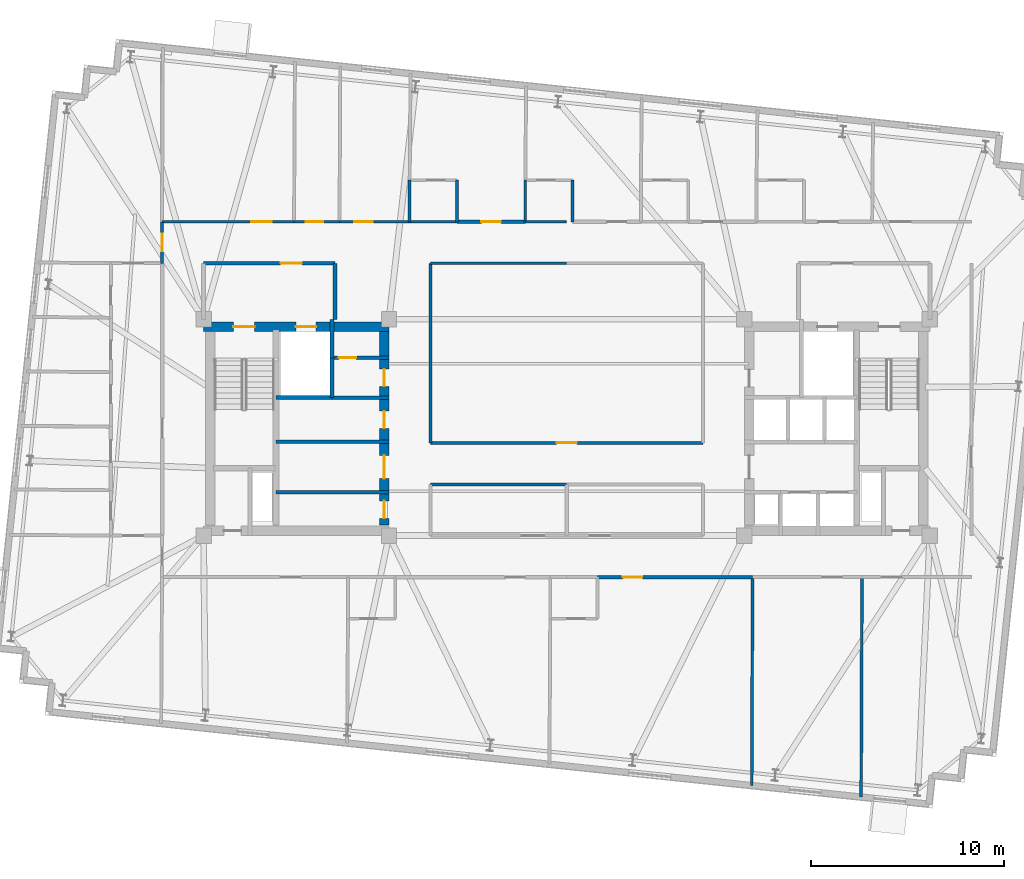
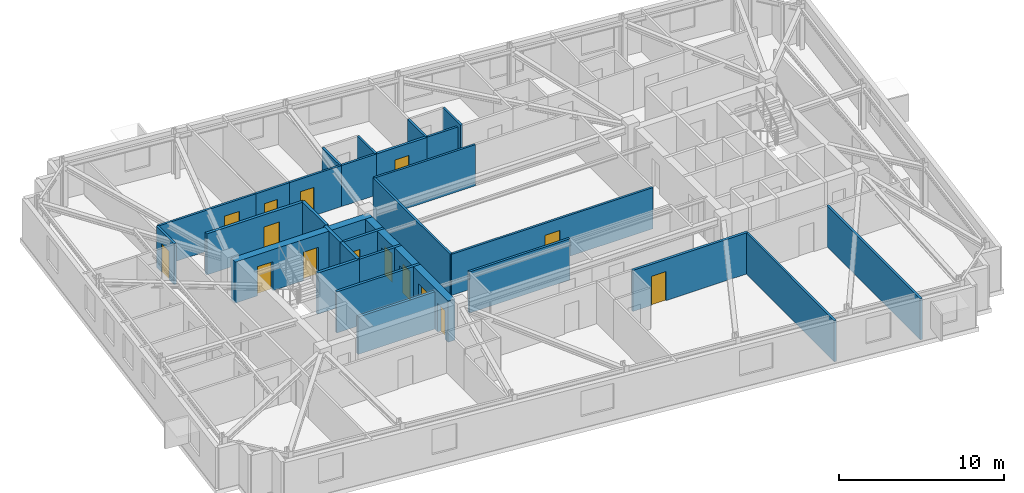
# One storey, part 7 of 13: 29 walls, 15 doors, 15 openings.
"""IFC4 building model written with IfcOpenShell, lengths in metres."""

from ifc_helpers import new_model, si_unit, direction, frame, frame_2d, origin, place, context, subcontext, project, spatial, rectangle, extrude, material, layer, layer_set, type_object, element, fill, save


model = new_model("IFC4")

# Units and contexts
model_context = context("Model", 3, precision=1e-05, world=origin(), true_north=direction((0.0, 1.0)))
body_context = subcontext(model_context, "Body", "Model", "MODEL_VIEW")
ifc_project = project(units=[si_unit("LENGTHUNIT", "METRE"), si_unit("AREAUNIT", "SQUARE_METRE"), si_unit("VOLUMEUNIT", "CUBIC_METRE"), si_unit("PLANEANGLEUNIT", "RADIAN"), si_unit("MASSUNIT", "GRAM", prefix="KILO")], contexts=[model_context])

# Site, building, storey
site_placement = place(None, origin())
site = spatial("IfcSite", under=ifc_project, at=site_placement, CompositionType="ELEMENT")
building_placement = place(site_placement, origin())
building = spatial("IfcBuilding", under=site, at=building_placement, Name="Qobustan Lattice House", CompositionType="ELEMENT")
storey_placement = place(building_placement, frame((0.0, 0.0, 186.35009765625)))
storey = spatial("IfcBuildingStorey", under=building, at=storey_placement, Name="L52", CompositionType="ELEMENT", Elevation=186.35009765625)

# Wall, openings, doors
ifc_material_1 = material(Name="Concrete C50/60", Category="concrete")
ifc_layer_1 = layer(ifc_material_1, 0.5)
ifc_layer_set_1 = layer_set([ifc_layer_1], Name="Concrete C50/60")
wall_type_1 = type_object("IfcWallType", Name="WAL-CORE-500", PredefinedType="SHEAR", material=ifc_layer_set_1)
wall_1_placement = place(storey_placement, frame((-18.800048828125, 5.2099609375, 0.0), z_axis=(0.0, 0.0, 1.0), x_axis=(1.0, 0.0, 0.0)))
wall_1 = element("IfcWall", 1, at=wall_1_placement, inside=storey, type_object=wall_type_1, Name="L52 split-core shear wall CW-N", PredefinedType="SHEAR", context=body_context, shape_type="SweptSolid", body=[
    extrude(rectangle(XDim=9.60009765625, YDim=0.5, at=frame_2d((4.800048828125, 0.0))), origin(), (0.0, 0.0, 1.0), 3.039794921875),
])
opening_1_placement = place(wall_1_placement, frame((1.550048828125, 0.0, 0.0)))
opening_1 = element("IfcOpeningElement", 2, at=opening_1_placement, cuts=wall_1, Name="Opening SD-01", PredefinedType="OPENING", context=body_context, shape_type="SweptSolid", body=[
    extrude(rectangle(XDim=1.10009765625, YDim=2.14990234375, at=frame_2d((0.550048828125, 1.074951171875))), frame((0.0, 0.260009765625, 0.0), z_axis=(0.0, -1.0, 0.0), x_axis=(1.0, 0.0, 0.0)), (0.0, 0.0, 1.0), 0.52001953125),
])
opening_2_placement = place(wall_1_placement, frame((4.77490234375, 0.0, 0.0)))
opening_2 = element("IfcOpeningElement", 3, at=opening_2_placement, cuts=wall_1, Name="Opening LD-01", PredefinedType="OPENING", context=body_context, shape_type="SweptSolid", body=[
    extrude(rectangle(XDim=1.050048828125, YDim=2.10009765625, at=frame_2d((0.52490234375, 1.050048828125))), frame((0.0, 0.260009765625, 0.0), z_axis=(0.0, -1.0, 0.0), x_axis=(1.0, 0.0, 0.0)), (0.0, 0.0, 1.0), 0.52001953125),
])
ifc_material_2 = material(Name="Persian walnut timber and steel frame door", Category="steel")
door_type_1 = type_object("IfcDoorType", Name="DOR-LIFT-LD-1050x2100", OperationType="NOTDEFINED", PredefinedType="DOOR", material=ifc_material_2)
door_1_placement = place(opening_2_placement, origin())
door_1 = element("IfcDoor", 4, at=door_1_placement, inside=storey, type_object=door_type_1, Name="L52 firefighting lift FF-W landing door", OperationType="DOUBLE_DOOR_SLIDING", OverallHeight=2.10009765625, OverallWidth=1.050048828125, PredefinedType="DOOR", context=body_context, shape_type="SweptSolid", body=[
    extrude(rectangle(XDim=1.050048828125, YDim=2.10009765625, at=frame_2d((0.52490234375, 1.050048828125))), frame((0.0, 0.02490234375, 0.0), z_axis=(0.0, -1.0, 0.0), x_axis=(1.0, 0.0, 0.0)), (0.0, 0.0, 1.0), 0.050048828125),
])
fill(opening_2, door_1)
ifc_material_3 = material(Name="Persian walnut timber and steel frame door", Category="steel")
door_type_2 = type_object("IfcDoorType", Name="DOR-STAIR-FD-1100x2150", OperationType="NOTDEFINED", PredefinedType="DOOR", material=ifc_material_3)
door_2_placement = place(opening_1_placement, origin())
door_2 = element("IfcDoor", 5, at=door_2_placement, inside=storey, type_object=door_type_2, Name="L52 exit stair ST-W1 fire door", OperationType="SINGLE_SWING_LEFT", OverallHeight=2.14990234375, OverallWidth=1.10009765625, PredefinedType="DOOR", context=body_context, shape_type="SweptSolid", body=[
    extrude(rectangle(XDim=1.10009765625, YDim=2.14990234375, at=frame_2d((0.550048828125, 1.074951171875))), frame((0.0, 0.02490234375, 0.0), z_axis=(0.0, -1.0, 0.0), x_axis=(1.0, 0.0, 0.0)), (0.0, 0.0, 1.0), 0.050048828125),
])
fill(opening_1, door_2)

wall_2_placement = place(storey_placement, frame((-9.449951171875, -5.050048828125, 0.0), z_axis=(0.0, 0.0, 1.0), x_axis=(0.0, 1.0, 0.0)))
wall_2 = element("IfcWall", 6, at=wall_2_placement, inside=storey, type_object=wall_type_1, Name="L52 split-core shear wall CW-E", PredefinedType="SHEAR", context=body_context, shape_type="SweptSolid", body=[
    extrude(rectangle(XDim=10.10009765625, YDim=0.5, at=frame_2d((5.050048828125, 0.0))), origin(), (0.0, 0.0, 1.0), 3.039794921875),
])
opening_3_placement = place(wall_2_placement, frame((7.175048828125, 0.0, 0.0)))
opening_3 = element("IfcOpeningElement", 7, at=opening_3_placement, cuts=wall_2, Name="Opening RD-01", PredefinedType="OPENING", context=body_context, shape_type="SweptSolid", body=[
    extrude(rectangle(XDim=0.89990234375, YDim=2.10009765625, at=frame_2d((0.449951171875, 1.050048828125))), frame((0.0, 0.260009765625, 0.0), z_axis=(0.0, -1.0, 0.0), x_axis=(1.0, 0.0, 0.0)), (0.0, 0.0, 1.0), 0.52001953125),
])
opening_4_placement = place(wall_2_placement, frame((2.39990234375, 0.0, 0.0)))
opening_4 = element("IfcOpeningElement", 8, at=opening_4_placement, cuts=wall_2, Name="Opening FD-01", PredefinedType="OPENING", context=body_context, shape_type="SweptSolid", body=[
    extrude(rectangle(XDim=1.199951171875, YDim=2.14990234375, at=frame_2d((0.60009765625, 1.074951171875))), frame((0.0, 0.260009765625, 0.0), z_axis=(0.0, -1.0, 0.0), x_axis=(1.0, 0.0, 0.0)), (0.0, 0.0, 1.0), 0.52001953125),
])
opening_5_placement = place(wall_2_placement, frame((0.35009765625, 0.0, 0.0)))
opening_5 = element("IfcOpeningElement", 9, at=opening_5_placement, cuts=wall_2, Name="Opening RD-01", PredefinedType="OPENING", context=body_context, shape_type="SweptSolid", body=[
    extrude(rectangle(XDim=0.89990234375, YDim=2.10009765625, at=frame_2d((0.449951171875, 1.050048828125))), frame((0.0, 0.260009765625, 0.0), z_axis=(0.0, -1.0, 0.0), x_axis=(1.0, 0.0, 0.0)), (0.0, 0.0, 1.0), 0.52001953125),
])
opening_6_placement = place(wall_2_placement, frame((5.0, 0.0, 0.0)))
opening_6 = element("IfcOpeningElement", 10, at=opening_6_placement, cuts=wall_2, Name="Opening RD-01", PredefinedType="OPENING", context=body_context, shape_type="SweptSolid", body=[
    extrude(rectangle(XDim=0.89990234375, YDim=2.10009765625, at=frame_2d((0.449951171875, 1.050048828125))), frame((0.0, 0.260009765625, 0.0), z_axis=(0.0, -1.0, 0.0), x_axis=(1.0, 0.0, 0.0)), (0.0, 0.0, 1.0), 0.52001953125),
])
ifc_material_4 = material(Name="Persian walnut timber and steel frame door", Category="steel")
door_type_3 = type_object("IfcDoorType", Name="DOR-LOBBY-FD-1200x2150", OperationType="NOTDEFINED", PredefinedType="DOOR", material=ifc_material_4)
door_3_placement = place(opening_4_placement, origin())
door_3 = element("IfcDoor", 11, at=door_3_placement, inside=storey, type_object=door_type_3, Name="L52 West core foyer fire door", OperationType="SINGLE_SWING_RIGHT", OverallHeight=2.14990234375, OverallWidth=1.199951171875, PredefinedType="DOOR", context=body_context, shape_type="SweptSolid", body=[
    extrude(rectangle(XDim=1.199951171875, YDim=2.14990234375, at=frame_2d((0.60009765625, 1.074951171875))), frame((0.0, 0.02490234375, 0.0), z_axis=(0.0, -1.0, 0.0), x_axis=(1.0, 0.0, 0.0)), (0.0, 0.0, 1.0), 0.050048828125),
])
fill(opening_4, door_3)
ifc_material_5 = material(Name="Persian walnut timber and steel frame door", Category="steel")
door_type_4 = type_object("IfcDoorType", Name="DOR-RISER-FD-900x2100", OperationType="NOTDEFINED", PredefinedType="DOOR", material=ifc_material_5)
door_4_placement = place(opening_3_placement, origin())
door_4 = element("IfcDoor", 12, at=door_4_placement, inside=storey, type_object=door_type_4, Name="L52 Core utility lobby fire door", OperationType="SINGLE_SWING_LEFT", OverallHeight=2.10009765625, OverallWidth=0.89990234375, PredefinedType="DOOR", context=body_context, shape_type="SweptSolid", body=[
    extrude(rectangle(XDim=0.89990234375, YDim=2.10009765625, at=frame_2d((0.449951171875, 1.050048828125))), frame((0.0, 0.02490234375, 0.0), z_axis=(0.0, -1.0, 0.0), x_axis=(1.0, 0.0, 0.0)), (0.0, 0.0, 1.0), 0.050048828125),
])
fill(opening_3, door_4)
door_5_placement = place(opening_5_placement, origin())
door_5 = element("IfcDoor", 13, at=door_5_placement, inside=storey, type_object=door_type_4, Name="L52 Quiet study alcove fire door", OperationType="SINGLE_SWING_LEFT", OverallHeight=2.10009765625, OverallWidth=0.89990234375, PredefinedType="DOOR", context=body_context, shape_type="SweptSolid", body=[
    extrude(rectangle(XDim=0.89990234375, YDim=2.10009765625, at=frame_2d((0.449951171875, 1.050048828125))), frame((0.0, 0.02490234375, 0.0), z_axis=(0.0, -1.0, 0.0), x_axis=(1.0, 0.0, 0.0)), (0.0, 0.0, 1.0), 0.050048828125),
])
fill(opening_5, door_5)
door_6_placement = place(opening_6_placement, origin())
door_6 = element("IfcDoor", 14, at=door_6_placement, inside=storey, type_object=door_type_4, Name="L52 Resident reading pod fire door", OperationType="SINGLE_SWING_RIGHT", OverallHeight=2.10009765625, OverallWidth=0.89990234375, PredefinedType="DOOR", context=body_context, shape_type="SweptSolid", body=[
    extrude(rectangle(XDim=0.89990234375, YDim=2.10009765625, at=frame_2d((0.449951171875, 1.050048828125))), frame((0.0, 0.02490234375, 0.0), z_axis=(0.0, -1.0, 0.0), x_axis=(1.0, 0.0, 0.0)), (0.0, 0.0, 1.0), 0.050048828125),
])
fill(opening_6, door_6)

# Wall, opening, door
ifc_material_6 = material(Name="Gypsum fireboard acoustic partition", Category="gypsum")
ifc_layer_2 = layer(ifc_material_6, 0.179931640625)
ifc_layer_set_2 = layer_set([ifc_layer_2], Name="Gypsum fireboard acoustic partition")
wall_type_2 = type_object("IfcWallType", Name="WAL-FIRE-180", PredefinedType="PARTITIONING", material=ifc_layer_set_2)
wall_3_placement = place(storey_placement, frame((-9.199951171875, 3.60009765625, 0.0), z_axis=(0.0, 0.0, 1.0), x_axis=(-1.0, 0.0, 0.0)))
wall_3 = element("IfcWall", 15, at=wall_3_placement, inside=storey, type_object=wall_type_2, Name="L52 interior partition 7", PredefinedType="PARTITIONING", context=body_context, shape_type="SweptSolid", body=[
    extrude(rectangle(XDim=2.949951171875, YDim=0.179931640625, at=frame_2d((1.47509765625, 0.0))), origin(), (0.0, 0.0, 1.0), 3.039794921875),
])
opening_7_placement = place(wall_3_placement, frame((1.699951171875, 0.0, 0.0)))
opening_7 = element("IfcOpeningElement", 16, at=opening_7_placement, cuts=wall_3, Name="Opening RD-01", PredefinedType="OPENING", context=body_context, shape_type="SweptSolid", body=[
    extrude(rectangle(XDim=0.89990234375, YDim=2.10009765625, at=frame_2d((0.449951171875, 1.050048828125))), frame((0.0, 0.099853515625, 0.0), z_axis=(0.0, -1.0, 0.0), x_axis=(1.0, 0.0, 0.0)), (0.0, 0.0, 1.0), 0.199951171875),
])
door_7_placement = place(opening_7_placement, origin())
door_7 = element("IfcDoor", 17, at=door_7_placement, inside=storey, type_object=door_type_4, Name="L52 Core utility lobby to Cleaner store door", OperationType="SINGLE_SWING_RIGHT", OverallHeight=2.10009765625, OverallWidth=0.89990234375, PredefinedType="DOOR", context=body_context, shape_type="SweptSolid", body=[
    extrude(rectangle(XDim=0.89990234375, YDim=2.10009765625, at=frame_2d((0.449951171875, 1.050048828125))), frame((0.0, 0.02490234375, 0.0), z_axis=(0.0, -1.0, 0.0), x_axis=(1.0, 0.0, 0.0)), (0.0, 0.0, 1.0), 0.050048828125),
])
fill(opening_7, door_7)

# Walls
wall_4_placement = place(storey_placement, frame((-12.14990234375, 1.550048828125, 0.0), z_axis=(0.0, 0.0, 1.0), x_axis=(1.0, 0.0, 0.0)))
element("IfcWall", 18, at=wall_4_placement, inside=storey, type_object=wall_type_2, Name="L52 interior partition 8", PredefinedType="PARTITIONING", context=body_context, shape_type="SweptSolid", body=[
    extrude(rectangle(XDim=2.949951171875, YDim=0.179931640625, at=frame_2d((1.47509765625, 0.0))), origin(), (0.0, 0.0, 1.0), 3.039794921875),
])
wall_5_placement = place(storey_placement, frame((-15.050048828125, -3.35009765625, 0.0), z_axis=(0.0, 0.0, 1.0), x_axis=(1.0, 0.0, 0.0)))
element("IfcWall", 19, at=wall_5_placement, inside=storey, type_object=wall_type_2, Name="L52 interior partition 10", PredefinedType="PARTITIONING", context=body_context, shape_type="SweptSolid", body=[
    extrude(rectangle(XDim=5.85009765625, YDim=0.179931640625, at=frame_2d((2.925048828125, 0.0))), origin(), (0.0, 0.0, 1.0), 2.7548828125),
])
wall_6_placement = place(storey_placement, frame((-9.199951171875, -0.75, 0.0), z_axis=(0.0, 0.0, 1.0), x_axis=(-1.0, 0.0, 0.0)))
element("IfcWall", 20, at=wall_6_placement, inside=storey, type_object=wall_type_2, Name="L52 interior partition 11", PredefinedType="PARTITIONING", context=body_context, shape_type="SweptSolid", body=[
    extrude(rectangle(XDim=5.85009765625, YDim=0.179931640625, at=frame_2d((2.925048828125, 0.0))), origin(), (0.0, 0.0, 1.0), 3.039794921875),
])

# Wall, opening, door
wall_7_placement = place(storey_placement, frame((-5.678955078125, 10.64990234375, 0.0), z_axis=(0.0, 0.0, 1.0), x_axis=(1.0, 0.0, 0.0)))
wall_7 = element("IfcWall", 21, at=wall_7_placement, inside=storey, type_object=wall_type_2, Name="L52 interior partition 36", PredefinedType="PARTITIONING", context=body_context, shape_type="SweptSolid", body=[
    extrude(rectangle(XDim=3.535888671875, YDim=0.179931640625, at=frame_2d((1.76806640625, 0.0))), origin(), (0.0, 0.0, 1.0), 3.039794921875),
])
opening_8_placement = place(wall_7_placement, frame((1.26806640625, 0.0, 0.0)))
opening_8 = element("IfcOpeningElement", 22, at=opening_8_placement, cuts=wall_7, Name="Opening FD-02", PredefinedType="OPENING", context=body_context, shape_type="SweptSolid", body=[
    extrude(rectangle(XDim=1.0, YDim=2.14990234375, at=frame_2d((0.5, 1.074951171875))), frame((0.0, 0.099853515625, 0.0), z_axis=(0.0, -1.0, 0.0), x_axis=(1.0, 0.0, 0.0)), (0.0, 0.0, 1.0), 0.199951171875),
])
ifc_material_7 = material(Name="Persian walnut timber and steel frame door", Category="steel")
door_type_5 = type_object("IfcDoorType", Name="DOR-UNIT-FD-1000x2150", OperationType="NOTDEFINED", PredefinedType="DOOR", material=ifc_material_7)
door_8_placement = place(opening_8_placement, origin())
door_8 = element("IfcDoor", 23, at=door_8_placement, inside=storey, type_object=door_type_5, Name="L52 North-west floor corridor to Kitchenette and studio apartment L52-N3 door", OperationType="SINGLE_SWING_RIGHT", OverallHeight=2.14990234375, OverallWidth=1.0, PredefinedType="DOOR", context=body_context, shape_type="SweptSolid", body=[
    extrude(rectangle(XDim=1.0, YDim=2.14990234375, at=frame_2d((0.5, 1.074951171875))), frame((0.0, 0.02490234375, 0.0), z_axis=(0.0, -1.0, 0.0), x_axis=(1.0, 0.0, 0.0)), (0.0, 0.0, 1.0), 0.050048828125),
])
fill(opening_8, door_8)

wall_8_placement = place(storey_placement, frame((9.625, -7.75, 0.0), z_axis=(0.0, 0.0, 1.0), x_axis=(-1.0, 0.0, 0.0)))
wall_8 = element("IfcWall", 24, at=wall_8_placement, inside=storey, type_object=wall_type_2, Name="L52 interior partition 53", PredefinedType="PARTITIONING", context=body_context, shape_type="SweptSolid", body=[
    extrude(rectangle(XDim=8.02490234375, YDim=0.179931640625, at=frame_2d((4.012451171875, 0.0))), origin(), (0.0, 0.0, 1.0), 3.039794921875),
])
opening_9_placement = place(wall_8_placement, frame((5.7119140625, 0.0, 0.0)))
opening_9 = element("IfcOpeningElement", 25, at=opening_9_placement, cuts=wall_8, Name="Opening FD-02", PredefinedType="OPENING", context=body_context, shape_type="SweptSolid", body=[
    extrude(rectangle(XDim=1.0, YDim=2.14990234375, at=frame_2d((0.5, 1.074951171875))), frame((0.0, 0.099853515625, 0.0), z_axis=(0.0, -1.0, 0.0), x_axis=(1.0, 0.0, 0.0)), (0.0, 0.0, 1.0), 0.199951171875),
])
door_9_placement = place(opening_9_placement, origin())
door_9 = element("IfcDoor", 26, at=door_9_placement, inside=storey, type_object=door_type_5, Name="L52 South-east floor corridor to Kitchenette and studio apartment L52-S3 door", OperationType="SINGLE_SWING_LEFT", OverallHeight=2.14990234375, OverallWidth=1.0, PredefinedType="DOOR", context=body_context, shape_type="SweptSolid", body=[
    extrude(rectangle(XDim=1.0, YDim=2.14990234375, at=frame_2d((0.5, 1.074951171875))), frame((0.0, 0.02490234375, 0.0), z_axis=(0.0, -1.0, 0.0), x_axis=(1.0, 0.0, 0.0)), (0.0, 0.0, 1.0), 0.050048828125),
])
fill(opening_9, door_9)

ifc_material_8 = material(Name="Acoustic twin-stud gypsum partition", Category="gypsum")
ifc_layer_3 = layer(ifc_material_8, 0.14990234375)
ifc_layer_set_3 = layer_set([ifc_layer_3], Name="Acoustic twin-stud gypsum partition")
wall_type_3 = type_object("IfcWallType", Name="WAL-PART-150", PredefinedType="PARTITIONING", material=ifc_layer_set_3)
wall_9_placement = place(storey_placement, frame((-20.949951171875, 8.5, 0.0), z_axis=(0.0, 0.0, 1.0), x_axis=(0.0, 1.0, 0.0)))
wall_9 = element("IfcWall", 27, at=wall_9_placement, inside=storey, type_object=wall_type_3, Name="L52 interior partition 32", PredefinedType="PARTITIONING", context=body_context, shape_type="SweptSolid", body=[
    extrude(rectangle(XDim=2.14990234375, YDim=0.14990234375, at=frame_2d((1.074951171875, 0.0))), origin(), (0.0, 0.0, 1.0), 3.039794921875),
])
opening_10_placement = place(wall_9_placement, frame((0.625, 0.0, 0.0)))
opening_10 = element("IfcOpeningElement", 28, at=opening_10_placement, cuts=wall_9, Name="Opening WD-01", PredefinedType="OPENING", context=body_context, shape_type="SweptSolid", body=[
    extrude(rectangle(XDim=0.89990234375, YDim=2.10009765625, at=frame_2d((0.449951171875, 1.050048828125))), frame((0.0, 0.0849609375, 0.0), z_axis=(0.0, -1.0, 0.0), x_axis=(1.0, 0.0, 0.0)), (0.0, 0.0, 1.0), 0.169921875),
])
ifc_material_9 = material(Name="Persian walnut timber and steel frame door", Category="steel")
door_type_6 = type_object("IfcDoorType", Name="DOR-WET-900x2100", OperationType="NOTDEFINED", PredefinedType="DOOR", material=ifc_material_9)
door_10_placement = place(opening_10_placement, origin())
door_10 = element("IfcDoor", 29, at=door_10_placement, inside=storey, type_object=door_type_6, Name="L52 North-west floor corridor to Reading study room L52WN door", OperationType="SINGLE_SWING_RIGHT", OverallHeight=2.10009765625, OverallWidth=0.89990234375, PredefinedType="DOOR", context=body_context, shape_type="SweptSolid", body=[
    extrude(rectangle(XDim=0.89990234375, YDim=2.10009765625, at=frame_2d((0.449951171875, 1.050048828125))), frame((0.0, 0.02490234375, 0.0), z_axis=(0.0, -1.0, 0.0), x_axis=(1.0, 0.0, 0.0)), (0.0, 0.0, 1.0), 0.050048828125),
])
fill(opening_10, door_10)

wall_10_placement = place(storey_placement, frame((-20.949951171875, 10.64990234375, 0.0), z_axis=(0.0, 0.0, 1.0), x_axis=(1.0, 0.0, 0.0)))
wall_10 = element("IfcWall", 30, at=wall_10_placement, inside=storey, type_object=wall_type_3, Name="L52 interior partition 33", PredefinedType="PARTITIONING", context=body_context, shape_type="SweptSolid", body=[
    extrude(rectangle(XDim=6.8359375, YDim=0.14990234375, at=frame_2d((3.41796875, 0.0))), origin(), (0.0, 0.0, 1.0), 3.039794921875),
])
opening_11_placement = place(wall_10_placement, frame((4.627685546875, 0.0, 0.0)))
opening_11 = element("IfcOpeningElement", 31, at=opening_11_placement, cuts=wall_10, Name="Opening ID-02", PredefinedType="OPENING", context=body_context, shape_type="SweptSolid", body=[
    extrude(rectangle(XDim=1.050048828125, YDim=2.14990234375, at=frame_2d((0.52490234375, 1.074951171875))), frame((0.0, 0.0849609375, 0.0), z_axis=(0.0, -1.0, 0.0), x_axis=(1.0, 0.0, 0.0)), (0.0, 0.0, 1.0), 0.169921875),
])
ifc_material_10 = material(Name="Persian walnut timber and steel frame door", Category="steel")
door_type_7 = type_object("IfcDoorType", Name="DOR-STUDY-1050x2150", OperationType="NOTDEFINED", PredefinedType="DOOR", material=ifc_material_10)
door_11_placement = place(opening_11_placement, origin())
door_11 = element("IfcDoor", 32, at=door_11_placement, inside=storey, type_object=door_type_7, Name="L52 North-west floor corridor to Focus study room N1 door", OperationType="SINGLE_SWING_LEFT", OverallHeight=2.14990234375, OverallWidth=1.050048828125, PredefinedType="DOOR", context=body_context, shape_type="SweptSolid", body=[
    extrude(rectangle(XDim=1.050048828125, YDim=2.14990234375, at=frame_2d((0.52490234375, 1.074951171875))), frame((0.0, 0.02490234375, 0.0), z_axis=(0.0, -1.0, 0.0), x_axis=(1.0, 0.0, 0.0)), (0.0, 0.0, 1.0), 0.050048828125),
])
fill(opening_11, door_11)

wall_11_placement = place(storey_placement, frame((-11.763916015625, 10.64990234375, 0.0), z_axis=(0.0, 0.0, 1.0), x_axis=(1.0, 0.0, 0.0)))
wall_11 = element("IfcWall", 33, at=wall_11_placement, inside=storey, type_object=wall_type_3, Name="L52 interior partition 35", PredefinedType="PARTITIONING", context=body_context, shape_type="SweptSolid", body=[
    extrude(rectangle(XDim=3.635009765625, YDim=0.14990234375, at=frame_2d((1.8173828125, 0.0))), origin(), (0.0, 0.0, 1.0), 3.039794921875),
])
opening_12_placement = place(wall_11_placement, frame((0.7705078125, 0.0, 0.0)))
opening_12 = element("IfcOpeningElement", 34, at=opening_12_placement, cuts=wall_11, Name="Opening ID-01", PredefinedType="OPENING", context=body_context, shape_type="SweptSolid", body=[
    extrude(rectangle(XDim=0.949951171875, YDim=2.10009765625, at=frame_2d((0.47509765625, 1.050048828125))), frame((0.0, 0.0849609375, 0.0), z_axis=(0.0, -1.0, 0.0), x_axis=(1.0, 0.0, 0.0)), (0.0, 0.0, 1.0), 0.169921875),
])
ifc_material_11 = material(Name="Persian walnut timber and steel frame door", Category="steel")
door_type_8 = type_object("IfcDoorType", Name="DOR-ROOM-950x2100", OperationType="NOTDEFINED", PredefinedType="DOOR", material=ifc_material_11)
door_12_placement = place(opening_12_placement, origin())
door_12 = element("IfcDoor", 35, at=door_12_placement, inside=storey, type_object=door_type_8, Name="L52 North-west floor corridor to Laundry utility room door", OperationType="SINGLE_SWING_LEFT", OverallHeight=2.10009765625, OverallWidth=0.949951171875, PredefinedType="DOOR", context=body_context, shape_type="SweptSolid", body=[
    extrude(rectangle(XDim=0.949951171875, YDim=2.10009765625, at=frame_2d((0.47509765625, 1.050048828125))), frame((0.0, 0.02490234375, 0.0), z_axis=(0.0, -1.0, 0.0), x_axis=(1.0, 0.0, 0.0)), (0.0, 0.0, 1.0), 0.050048828125),
])
fill(opening_12, door_12)

# Wall
wall_12_placement = place(storey_placement, frame((0.0, 8.5, 0.0), z_axis=(0.0, 0.0, 1.0), x_axis=(-1.0, 0.0, 0.0)))
element("IfcWall", 36, at=wall_12_placement, inside=storey, type_object=wall_type_3, Name="L52 interior partition 39", PredefinedType="PARTITIONING", context=body_context, shape_type="SweptSolid", body=[
    extrude(rectangle(XDim=7.050048828125, YDim=0.14990234375, at=frame_2d((3.52490234375, 0.0))), origin(), (0.0, 0.0, 1.0), 3.039794921875),
])

# Wall, opening, door
wall_13_placement = place(storey_placement, frame((-7.050048828125, -0.800048828125, 0.0), z_axis=(0.0, 0.0, 1.0), x_axis=(1.0, 0.0, 0.0)))
wall_13 = element("IfcWall", 37, at=wall_13_placement, inside=storey, type_object=wall_type_3, Name="L52 interior partition 60", PredefinedType="PARTITIONING", context=body_context, shape_type="SweptSolid", body=[
    extrude(rectangle(XDim=14.10009765625, YDim=0.14990234375, at=frame_2d((7.050048828125, 0.0))), origin(), (0.0, 0.0, 1.0), 3.039794921875),
])
opening_13_placement = place(wall_13_placement, frame((6.52490234375, 0.0, 0.0)))
opening_13 = element("IfcOpeningElement", 38, at=opening_13_placement, cuts=wall_13, Name="Opening ID-02", PredefinedType="OPENING", context=body_context, shape_type="SweptSolid", body=[
    extrude(rectangle(XDim=1.050048828125, YDim=2.14990234375, at=frame_2d((0.52490234375, 1.074951171875))), frame((0.0, 0.0849609375, 0.0), z_axis=(0.0, -1.0, 0.0), x_axis=(1.0, 0.0, 0.0)), (0.0, 0.0, 1.0), 0.169921875),
])
door_13_placement = place(opening_13_placement, origin())
door_13 = element("IfcDoor", 39, at=door_13_placement, inside=storey, type_object=door_type_7, Name="L52 Central spine corridor to Academic seminar commons door", OperationType="SINGLE_SWING_LEFT", OverallHeight=2.14990234375, OverallWidth=1.050048828125, PredefinedType="DOOR", context=body_context, shape_type="SweptSolid", body=[
    extrude(rectangle(XDim=1.050048828125, YDim=2.14990234375, at=frame_2d((0.52490234375, 1.074951171875))), frame((0.0, 0.02490234375, 0.0), z_axis=(0.0, -1.0, 0.0), x_axis=(1.0, 0.0, 0.0)), (0.0, 0.0, 1.0), 0.050048828125),
])
fill(opening_13, door_13)

# Walls
wall_14_placement = place(storey_placement, frame((-7.050048828125, 8.5, 0.0), z_axis=(0.0, 0.0, 1.0), x_axis=(0.0, -1.0, 0.0)))
element("IfcWall", 40, at=wall_14_placement, inside=storey, type_object=wall_type_3, Name="L52 interior partition 63", PredefinedType="PARTITIONING", context=body_context, shape_type="SweptSolid", body=[
    extrude(rectangle(XDim=9.300048828125, YDim=0.14990234375, at=frame_2d((4.64990234375, 0.0))), origin(), (0.0, 0.0, 1.0), 3.039794921875),
])
wall_15_placement = place(storey_placement, frame((9.625, -7.75, 0.0), z_axis=(0.0, 0.0, 1.0), x_axis=(-0.004074945792, -0.999991697374, 0.0)))
element("IfcWall", 41, at=wall_15_placement, inside=storey, type_object=wall_type_3, Name="L52 interior partition 109", PredefinedType="PARTITIONING", context=body_context, shape_type="SweptSolid", body=[
    extrude(rectangle(XDim=10.7841796875, YDim=0.14990234375, at=frame_2d((5.39208984375, 0.0))), origin(), (0.0, 0.0, 1.0), 3.039794921875),
])
wall_16_placement = place(storey_placement, frame((15.28759765625, -7.75, 0.0), z_axis=(0.0, 0.0, 1.0), x_axis=(-0.003861886282, -0.999992542889, 0.0)))
element("IfcWall", 42, at=wall_16_placement, inside=storey, type_object=wall_type_3, Name="L52 interior partition 110", PredefinedType="PARTITIONING", context=body_context, shape_type="SweptSolid", body=[
    extrude(rectangle(XDim=11.379150390625, YDim=0.14990234375, at=frame_2d((5.689453125, 0.0))), origin(), (0.0, 0.0, 1.0), 3.039794921875),
])
ifc_material_12 = material(Name="High-mass acoustic twin-stud partition", Category="gypsum")
ifc_layer_4 = layer(ifc_material_12, 0.1650390625)
ifc_layer_set_4 = layer_set([ifc_layer_4], Name="High-mass acoustic twin-stud partition")
wall_type_4 = type_object("IfcWallType", Name="WAL-PART-165", PredefinedType="PARTITIONING", material=ifc_layer_set_4)
wall_17_placement = place(storey_placement, frame((0.0, -2.949951171875, 0.0), z_axis=(0.0, 0.0, 1.0), x_axis=(-1.0, 0.0, 0.0)))
element("IfcWall", 43, at=wall_17_placement, inside=storey, type_object=wall_type_4, Name="L52 interior partition 61", PredefinedType="PARTITIONING", context=body_context, shape_type="SweptSolid", body=[
    extrude(rectangle(XDim=7.050048828125, YDim=0.1650390625, at=frame_2d((3.52490234375, 0.0))), origin(), (0.0, 0.0, 1.0), 3.039794921875),
])

# Wall, opening, door
ifc_material_13 = material(Name="Two-hour gypsum fireboard acoustic partition", Category="gypsum")
ifc_layer_5 = layer(ifc_material_13, 0.199951171875)
ifc_layer_set_5 = layer_set([ifc_layer_5], Name="Two-hour gypsum fireboard acoustic partition")
wall_type_5 = type_object("IfcWallType", Name="WAL-PROT-200", PredefinedType="PARTITIONING", material=ifc_layer_set_5)
wall_18_placement = place(storey_placement, frame((-12.0, 8.5, 0.0), z_axis=(0.0, 0.0, 1.0), x_axis=(-1.0, 0.0, 0.0)))
wall_18 = element("IfcWall", 44, at=wall_18_placement, inside=storey, type_object=wall_type_5, Name="L52 interior partition 4", PredefinedType="PARTITIONING", context=body_context, shape_type="SweptSolid", body=[
    extrude(rectangle(XDim=6.800048828125, YDim=0.199951171875, at=frame_2d((3.39990234375, 0.0))), origin(), (0.0, 0.0, 1.0), 3.039794921875),
])
opening_14_placement = place(wall_18_placement, frame((1.715087890625, 0.0, 0.0)))
opening_14 = element("IfcOpeningElement", 45, at=opening_14_placement, cuts=wall_18, Name="Opening SD-01", PredefinedType="OPENING", context=body_context, shape_type="SweptSolid", body=[
    extrude(rectangle(XDim=1.10009765625, YDim=2.14990234375, at=frame_2d((0.550048828125, 1.074951171875))), frame((0.0, 0.10986328125, 0.0), z_axis=(0.0, -1.0, 0.0), x_axis=(1.0, 0.0, 0.0)), (0.0, 0.0, 1.0), 0.219970703125),
])
door_14_placement = place(opening_14_placement, origin())
door_14 = element("IfcDoor", 46, at=door_14_placement, inside=storey, type_object=door_type_2, Name="L52 West firefighting lift lobby to North-west floor corridor door", OperationType="SINGLE_SWING_LEFT", OverallHeight=2.14990234375, OverallWidth=1.10009765625, PredefinedType="DOOR", context=body_context, shape_type="SweptSolid", body=[
    extrude(rectangle(XDim=1.10009765625, YDim=2.14990234375, at=frame_2d((0.550048828125, 1.074951171875))), frame((0.0, 0.02490234375, 0.0), z_axis=(0.0, -1.0, 0.0), x_axis=(1.0, 0.0, 0.0)), (0.0, 0.0, 1.0), 0.050048828125),
])
fill(opening_14, door_14)

# Walls
wall_19_placement = place(storey_placement, frame((-12.0, 5.60009765625, 0.0), z_axis=(0.0, 0.0, 1.0), x_axis=(0.0, 1.0, 0.0)))
element("IfcWall", 47, at=wall_19_placement, inside=storey, type_object=wall_type_5, Name="L52 interior partition 6", PredefinedType="PARTITIONING", context=body_context, shape_type="SweptSolid", body=[
    extrude(rectangle(XDim=2.89990234375, YDim=0.199951171875, at=frame_2d((1.449951171875, 0.0))), origin(), (0.0, 0.0, 1.0), 3.039794921875),
])
ifc_material_14 = material(Name="Concrete C40/50", Category="concrete")
ifc_layer_6 = layer(ifc_material_14, 0.199951171875)
ifc_layer_set_6 = layer_set([ifc_layer_6], Name="Concrete C40/50")
wall_type_6 = type_object("IfcWallType", Name="WAL-SHAFT-200", PredefinedType="PARTITIONING", material=ifc_layer_set_6)
wall_20_placement = place(storey_placement, frame((-12.14990234375, 1.550048828125, 0.0), z_axis=(0.0, 0.0, 1.0), x_axis=(0.0, 1.0, 0.0)))
element("IfcWall", 48, at=wall_20_placement, inside=storey, type_object=wall_type_6, Name="L52 interior partition 2", PredefinedType="PARTITIONING", context=body_context, shape_type="SweptSolid", body=[
    extrude(rectangle(XDim=2.050048828125, YDim=0.199951171875, at=frame_2d((1.02490234375, 0.0))), origin(), (0.0, 0.0, 1.0), 3.039794921875),
])
wall_21_placement = place(storey_placement, frame((-12.14990234375, 3.60009765625, 0.0), z_axis=(0.0, 0.0, 1.0), x_axis=(0.0, 1.0, 0.0)))
element("IfcWall", 49, at=wall_21_placement, inside=storey, type_object=wall_type_6, Name="L52 interior partition 3", PredefinedType="PARTITIONING", context=body_context, shape_type="SweptSolid", body=[
    extrude(rectangle(XDim=2.0, YDim=0.199951171875, at=frame_2d((1.0, 0.0))), origin(), (0.0, 0.0, 1.0), 3.039794921875),
])
wall_22_placement = place(storey_placement, frame((-15.050048828125, 1.550048828125, 0.0), z_axis=(0.0, 0.0, 1.0), x_axis=(1.0, 0.0, 0.0)))
element("IfcWall", 50, at=wall_22_placement, inside=storey, type_object=wall_type_6, Name="L52 interior partition 112", PredefinedType="PARTITIONING", context=body_context, shape_type="SweptSolid", body=[
    extrude(rectangle(XDim=2.900146484375, YDim=0.199951171875, at=frame_2d((1.4501953125, 0.0))), origin(), (0.0, 0.0, 1.0), 3.039794921875),
])

# Wall, opening, door
ifc_material_15 = material(Name="Moisture-resistant acoustic plumbing wall", Category="gypsum")
ifc_layer_7 = layer(ifc_material_15, 0.14990234375)
ifc_layer_set_7 = layer_set([ifc_layer_7], Name="Moisture-resistant acoustic plumbing wall")
wall_type_7 = type_object("IfcWallType", Name="WAL-WET-150", PredefinedType="PLUMBINGWALL", material=ifc_layer_set_7)
wall_23_placement = place(storey_placement, frame((-14.114013671875, 10.64990234375, 0.0), z_axis=(0.0, 0.0, 1.0), x_axis=(1.0, 0.0, 0.0)))
wall_23 = element("IfcWall", 51, at=wall_23_placement, inside=storey, type_object=wall_type_7, Name="L52 interior partition 34", PredefinedType="PLUMBINGWALL", context=body_context, shape_type="SweptSolid", body=[
    extrude(rectangle(XDim=2.35009765625, YDim=0.14990234375, at=frame_2d((1.175048828125, 0.0))), origin(), (0.0, 0.0, 1.0), 3.039794921875),
])
opening_15_placement = place(wall_23_placement, frame((0.6162109375, 0.0, 0.0)))
opening_15 = element("IfcOpeningElement", 52, at=opening_15_placement, cuts=wall_23, Name="Opening WD-01", PredefinedType="OPENING", context=body_context, shape_type="SweptSolid", body=[
    extrude(rectangle(XDim=0.89990234375, YDim=2.10009765625, at=frame_2d((0.449951171875, 1.050048828125))), frame((0.0, 0.0849609375, 0.0), z_axis=(0.0, -1.0, 0.0), x_axis=(1.0, 0.0, 0.0)), (0.0, 0.0, 1.0), 0.169921875),
])
door_15_placement = place(opening_15_placement, origin())
door_15 = element("IfcDoor", 53, at=door_15_placement, inside=storey, type_object=door_type_6, Name="L52 North-west floor corridor to Accessible WC door", OperationType="SINGLE_SWING_RIGHT", OverallHeight=2.10009765625, OverallWidth=0.89990234375, PredefinedType="DOOR", context=body_context, shape_type="SweptSolid", body=[
    extrude(rectangle(XDim=0.89990234375, YDim=2.10009765625, at=frame_2d((0.449951171875, 1.050048828125))), frame((0.0, 0.02490234375, 0.0), z_axis=(0.0, -1.0, 0.0), x_axis=(1.0, 0.0, 0.0)), (0.0, 0.0, 1.0), 0.050048828125),
])
fill(opening_15, door_15)

# Walls
wall_24_placement = place(storey_placement, frame((-8.12890625, 10.64990234375, 0.0), z_axis=(0.0, 0.0, 1.0), x_axis=(1.0, 0.0, 0.0)))
element("IfcWall", 54, at=wall_24_placement, inside=storey, type_object=wall_type_7, Name="L52 interior partition 37", PredefinedType="PLUMBINGWALL", context=body_context, shape_type="SweptSolid", body=[
    extrude(rectangle(XDim=2.449951171875, YDim=0.14990234375, at=frame_2d((1.22509765625, 0.0))), origin(), (0.0, 0.0, 1.0), 3.039794921875),
])
wall_25_placement = place(storey_placement, frame((-2.14306640625, 10.64990234375, 0.0), z_axis=(0.0, 0.0, 1.0), x_axis=(1.0, 0.0, 0.0)))
element("IfcWall", 55, at=wall_25_placement, inside=storey, type_object=wall_type_7, Name="L52 interior partition 38", PredefinedType="PLUMBINGWALL", context=body_context, shape_type="SweptSolid", body=[
    extrude(rectangle(XDim=2.14306640625, YDim=0.14990234375, at=frame_2d((1.071533203125, 0.0))), origin(), (0.0, 0.0, 1.0), 3.039794921875),
])
for number, where, z_axis, x_axis, name in (
    (56, (-8.12890625, 12.800048828125, 0.0), (0.0, 0.0, 1.0), (0.0, -1.0, 0.0), "L52 interior partition 85"),
    (57, (-5.678955078125, 10.64990234375, 0.0), (0.0, 0.0, 1.0), (0.0, 1.0, 0.0), "L52 interior partition 87"),
    (58, (-2.14306640625, 12.800048828125, 0.0), (0.0, 0.0, 1.0), (0.0, -1.0, 0.0), "L52 interior partition 89"),
    (59, (0.306884765625, 10.64990234375, 0.0), (0.0, 0.0, 1.0), (0.0, 1.0, 0.0), "L52 interior partition 91"),
):
    element("IfcWall", number, at=place(storey_placement, frame(where, z_axis=z_axis, x_axis=x_axis)), inside=storey, type_object=wall_type_7, Name=name, PredefinedType="PLUMBINGWALL", context=body_context, shape_type="SweptSolid", body=[
        extrude(rectangle(XDim=2.150146484375, YDim=0.14990234375, at=frame_2d((1.0751953125, 0.0))), origin(), (0.0, 0.0, 1.0), 3.039794921875),
    ])

save(model, "model.ifc")
